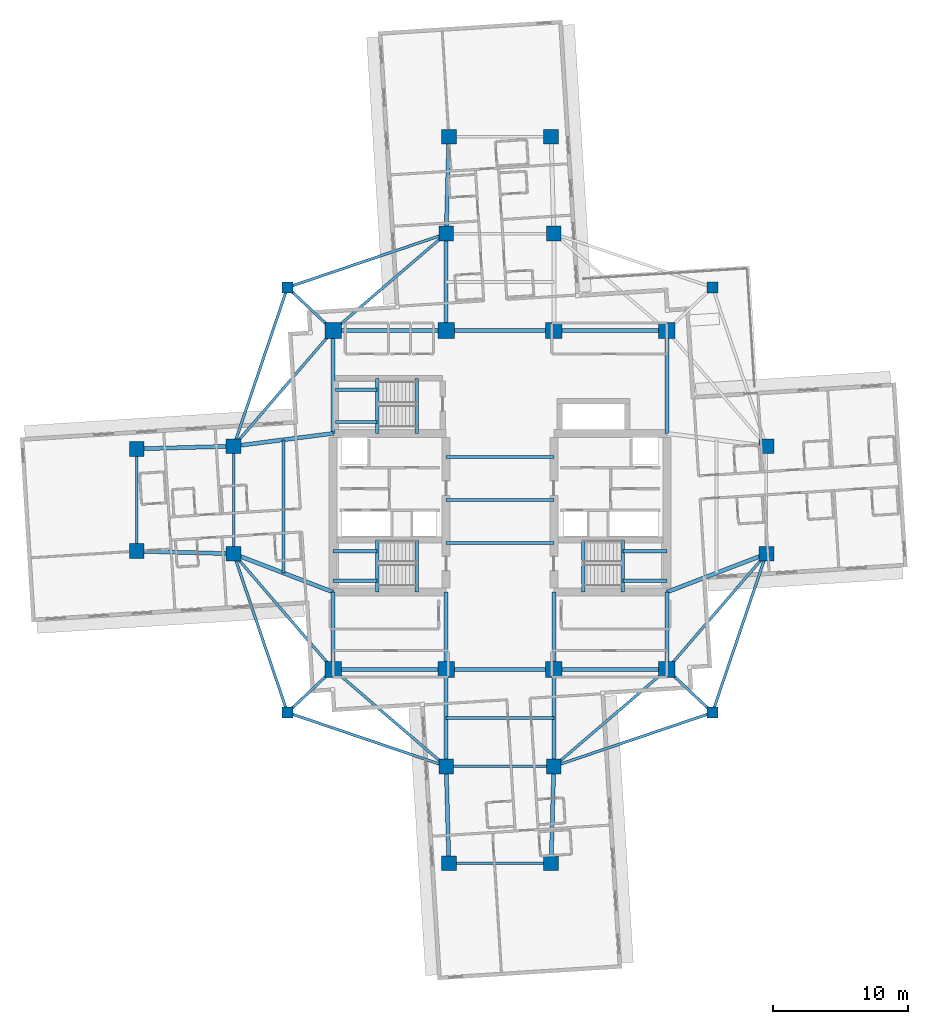
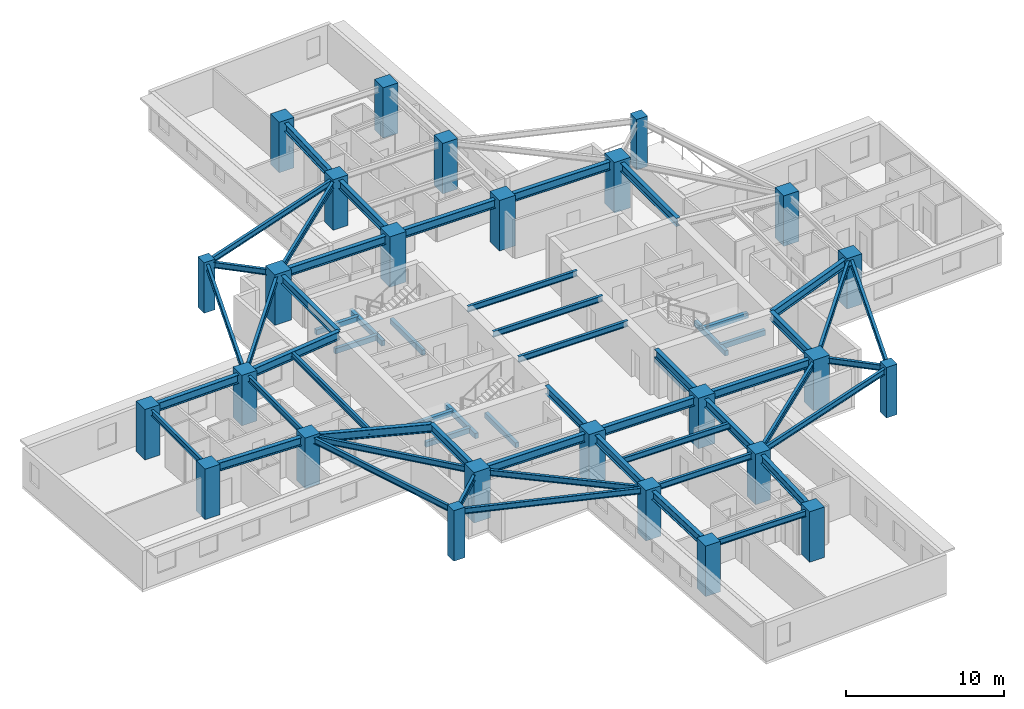
# One storey, part 1 of 14: 59 beams, 26 columns.
"""IFC4 building model written with IfcOpenShell, lengths in metres."""

from ifc_helpers import new_model, si_unit, direction, frame, origin, origin_2d, place, context, subcontext, project, spatial, rectangle, i_section, extrude, material, material_profile, profile_set, type_object, element, save


model = new_model("IFC4")

# Units and contexts
model_context = context("Model", 3, precision=1e-05, world=origin(), true_north=direction((0.0, 1.0)))
body_context = subcontext(model_context, "Body", "Model", "MODEL_VIEW")
ifc_project = project(units=[si_unit("LENGTHUNIT", "METRE"), si_unit("AREAUNIT", "SQUARE_METRE"), si_unit("VOLUMEUNIT", "CUBIC_METRE"), si_unit("PLANEANGLEUNIT", "RADIAN"), si_unit("MASSUNIT", "GRAM", prefix="KILO")], contexts=[model_context])

# Site, building, storey
site_placement = place(None, origin())
site = spatial("IfcSite", under=ifc_project, at=site_placement, CompositionType="ELEMENT")
building_placement = place(site_placement, origin())
building = spatial("IfcBuilding", under=site, at=building_placement, Name="Qingluan Cross Belvedere", CompositionType="ELEMENT")
storey_placement = place(building_placement, frame((0.0, 0.0, 128.10009765625)))
storey = spatial("IfcBuildingStorey", under=building, at=storey_placement, Name="L32", CompositionType="ELEMENT", Elevation=128.10009765625)

# Columns
ifc_material_1 = material(Name="Concrete C60", Category="concrete")
ifc_material_profile_1 = material_profile(ifc_material_1, rectangle(XDim=1.10009765625, YDim=1.10009765625, at=origin_2d()), Name="RC1100x1100")
ifc_profile_set_1 = profile_set([ifc_material_profile_1], Name="Concrete C60")
column_type_1 = type_object("IfcColumnType", Name="Column_RC1100x1100", PredefinedType="COLUMN", material=ifc_profile_set_1)
for number, where, z_axis, x_axis, name in (
    (1, (19.800048828125, -4.0, 0.0), (0.0, 0.0, 1.0), (1.0, 0.0, 0.0), "Arm column L32-EIA"),
    (2, (19.800048828125, 4.0, 0.0), (0.0, 0.0, 1.0), (1.0, 0.0, 0.0), "Arm column L32-EIB"),
    (3, (-19.800048828125, -4.0, 0.0), (0.0, 0.0, 1.0), (1.0, 0.0, 0.0), "Arm column L32-WIA"),
    (4, (-19.800048828125, 4.0, 0.0), (0.0, 0.0, 1.0), (1.0, 0.0, 0.0), "Arm column L32-WIB"),
    (5, (-4.0, -19.800048828125, 0.0), (0.0, 0.0, 1.0), (1.0, 0.0, 0.0), "Arm column L32-SIA"),
    (6, (4.0, -19.800048828125, 0.0), (0.0, 0.0, 1.0), (1.0, 0.0, 0.0), "Arm column L32-SIB"),
    (7, (-4.0, 19.800048828125, 0.0), (0.0, 0.0, 1.0), (1.0, 0.0, 0.0), "Arm column L32-NIA"),
    (8, (4.0, 19.800048828125, 0.0), (0.0, 0.0, 1.0), (1.0, 0.0, 0.0), "Arm column L32-NIB"),
    (9, (-27.0, -3.800048828125, 0.0), (0.0, 0.0, 1.0), (1.0, 0.0, 0.0), "Arm column L32-WOA"),
    (10, (-27.0, 3.800048828125, 0.0), (0.0, 0.0, 1.0), (1.0, 0.0, 0.0), "Arm column L32-WOB"),
    (11, (-3.800048828125, -27.0, 0.0), (0.0, 0.0, 1.0), (1.0, 0.0, 0.0), "Arm column L32-SOA"),
    (12, (3.800048828125, -27.0, 0.0), (0.0, 0.0, 1.0), (1.0, 0.0, 0.0), "Arm column L32-SOB"),
    (13, (-3.800048828125, 27.0, 0.0), (0.0, 0.0, 1.0), (1.0, 0.0, 0.0), "Arm column L32-NOA"),
    (14, (3.800048828125, 27.0, 0.0), (0.0, 0.0, 1.0), (1.0, 0.0, 0.0), "Arm column L32-NOB"),
):
    element("IfcColumn", number, at=place(storey_placement, frame(where, z_axis=z_axis, x_axis=x_axis)), inside=storey, type_object=column_type_1, Name=name, PredefinedType="COLUMN", context=body_context, shape_type="SweptSolid", body=[
        extrude(rectangle(XDim=1.10009765625, YDim=1.10009765625, at=origin_2d()), origin(), (0.0, 0.0, 1.0), 3.89990234375),
    ])
ifc_material_2 = material(Name="Concrete C60", Category="concrete")
ifc_material_profile_2 = material_profile(ifc_material_2, rectangle(XDim=1.199951171875, YDim=1.199951171875, at=origin_2d()), Name="RC1200x1200")
ifc_profile_set_2 = profile_set([ifc_material_profile_2], Name="Concrete C60")
column_type_2 = type_object("IfcColumnType", Name="Column_RC1200x1200", PredefinedType="COLUMN", material=ifc_profile_set_2)
for number, where, z_axis, x_axis, name in (
    (15, (-12.39990234375, -12.60009765625, 0.0), (0.0, 0.0, 1.0), (1.0, 0.0, 0.0), "Hub column L32-HC1"),
    (16, (12.39990234375, -12.60009765625, 0.0), (0.0, 0.0, 1.0), (1.0, 0.0, 0.0), "Hub column L32-HC2"),
    (17, (12.39990234375, 12.60009765625, 0.0), (0.0, 0.0, 1.0), (1.0, 0.0, 0.0), "Hub column L32-HC3"),
    (18, (-12.39990234375, 12.60009765625, 0.0), (0.0, 0.0, 1.0), (1.0, 0.0, 0.0), "Hub column L32-HC4"),
    (19, (-4.0, -12.60009765625, 0.0), (0.0, 0.0, 1.0), (1.0, 0.0, 0.0), "Hub column L32-HC5"),
    (20, (4.0, -12.60009765625, 0.0), (0.0, 0.0, 1.0), (1.0, 0.0, 0.0), "Hub column L32-HC6"),
    (21, (4.0, 12.60009765625, 0.0), (0.0, 0.0, 1.0), (1.0, 0.0, 0.0), "Hub column L32-HC7"),
    (22, (-4.0, 12.60009765625, 0.0), (0.0, 0.0, 1.0), (1.0, 0.0, 0.0), "Hub column L32-HC8"),
):
    element("IfcColumn", number, at=place(storey_placement, frame(where, z_axis=z_axis, x_axis=x_axis)), inside=storey, type_object=column_type_2, Name=name, PredefinedType="COLUMN", context=body_context, shape_type="SweptSolid", body=[
        extrude(rectangle(XDim=1.199951171875, YDim=1.199951171875, at=origin_2d()), origin(), (0.0, 0.0, 1.0), 3.89990234375),
    ])
ifc_material_3 = material(Name="Concrete C50", Category="concrete")
ifc_material_profile_3 = material_profile(ifc_material_3, rectangle(XDim=0.800048828125, YDim=0.800048828125, at=origin_2d()), Name="RC800x800")
ifc_profile_set_3 = profile_set([ifc_material_profile_3], Name="Concrete C50")
column_type_3 = type_object("IfcColumnType", Name="Column_RC800x800", PredefinedType="COLUMN", material=ifc_profile_set_3)
for number, where, z_axis, x_axis, name in (
    (23, (15.800048828125, 15.800048828125, 0.0), (0.0, 0.0, 1.0), (1.0, 0.0, 0.0), "Corner column L32-RNE"),
    (24, (-15.800048828125, 15.800048828125, 0.0), (0.0, 0.0, 1.0), (1.0, 0.0, 0.0), "Corner column L32-RNW"),
    (25, (-15.800048828125, -15.800048828125, 0.0), (0.0, 0.0, 1.0), (1.0, 0.0, 0.0), "Corner column L32-RSW"),
    (26, (15.800048828125, -15.800048828125, 0.0), (0.0, 0.0, 1.0), (1.0, 0.0, 0.0), "Corner column L32-RSE"),
):
    element("IfcColumn", number, at=place(storey_placement, frame(where, z_axis=z_axis, x_axis=x_axis)), inside=storey, type_object=column_type_3, Name=name, PredefinedType="COLUMN", context=body_context, shape_type="SweptSolid", body=[
        extrude(rectangle(XDim=0.800048828125, YDim=0.800048828125, at=origin_2d()), origin(), (0.0, 0.0, 1.0), 3.89990234375),
    ])

# Beams
ifc_material_4 = material(Name="Concrete C45", Category="concrete")
ifc_material_profile_4 = material_profile(ifc_material_4, rectangle(XDim=0.25, YDim=0.39990234375, at=origin_2d()), Name="RC250x400")
ifc_profile_set_4 = profile_set([ifc_material_profile_4], Name="Concrete C45")
beam_type_1 = type_object("IfcBeamType", Name="RC_Lintel_RC250x400", PredefinedType="LINTEL", material=ifc_profile_set_4)
for number, where, z_axis, x_axis, name in (
    (27, (-6.179931640625, -6.85009765625, -0.2001953125), (0.0, 1.0, 0.0), (-1.0, 0.0, 0.0), "Stair ST1 landing beam L32"),
    (28, (6.179931640625, -6.85009765625, -0.2001953125), (0.0, 1.0, 0.0), (-1.0, 0.0, 0.0), "Stair ST2 landing beam L32"),
):
    element("IfcBeam", number, at=place(storey_placement, frame(where, z_axis=z_axis, x_axis=x_axis)), inside=storey, type_object=beam_type_1, Name=name, PredefinedType="LINTEL", context=body_context, shape_type="SweptSolid", body=[
        extrude(rectangle(XDim=0.25, YDim=0.39990234375, at=origin_2d()), origin(), (0.0, 0.0, 1.0), 3.89013671875),
    ])
beam_1_placement = place(storey_placement, frame((-6.179931640625, 4.949951171875, -0.2001953125), z_axis=(0.0, 1.0, 0.0), x_axis=(-1.0, 0.0, 0.0)))
element("IfcBeam", 29, at=beam_1_placement, inside=storey, type_object=beam_type_1, Name="Stair ST3 landing beam L32", PredefinedType="LINTEL", context=body_context, shape_type="SweptSolid", body=[
    extrude(rectangle(XDim=0.25, YDim=0.39990234375, at=origin_2d()), origin(), (0.0, 0.0, 1.0), 4.090087890625),
])
beam_2_placement = place(storey_placement, frame((-9.1298828125, -6.85009765625, 1.5498046875), z_axis=(0.0, 1.0, 0.0), x_axis=(-1.0, 0.0, 0.0)))
element("IfcBeam", 30, at=beam_2_placement, inside=storey, type_object=beam_type_1, Name="Stair ST1 beam A L32", PredefinedType="LINTEL", context=body_context, shape_type="SweptSolid", body=[
    extrude(rectangle(XDim=0.25, YDim=0.39990234375, at=origin_2d()), origin(), (0.0, 0.0, 1.0), 3.89013671875),
])
for number, where, z_axis, x_axis, name in (
    (31, (-12.39990234375, -6.0, 1.5498046875), (1.0, 0.0, 0.0), (0.0, 1.0, 0.0), "Stair ST1 beam B L32"),
    (32, (-12.39990234375, -3.81005859375, 1.5498046875), (1.0, 0.0, 0.0), (0.0, 1.0, 0.0), "Stair ST1 beam C L32"),
):
    element("IfcBeam", number, at=place(storey_placement, frame(where, z_axis=z_axis, x_axis=x_axis)), inside=storey, type_object=beam_type_1, Name=name, PredefinedType="LINTEL", context=body_context, shape_type="SweptSolid", body=[
        extrude(rectangle(XDim=0.25, YDim=0.39990234375, at=origin_2d()), origin(), (0.0, 0.0, 1.0), 3.27001953125),
    ])
beam_3_placement = place(storey_placement, frame((9.1298828125, -6.85009765625, 1.5498046875), z_axis=(0.0, 1.0, 0.0), x_axis=(-1.0, 0.0, 0.0)))
element("IfcBeam", 33, at=beam_3_placement, inside=storey, type_object=beam_type_1, Name="Stair ST2 beam A L32", PredefinedType="LINTEL", context=body_context, shape_type="SweptSolid", body=[
    extrude(rectangle(XDim=0.25, YDim=0.39990234375, at=origin_2d()), origin(), (0.0, 0.0, 1.0), 3.89013671875),
])
for number, where, z_axis, x_axis, name in (
    (34, (12.39990234375, -6.0, 1.5498046875), (-1.0, 0.0, 0.0), (0.0, -1.0, 0.0), "Stair ST2 beam B L32"),
    (35, (12.39990234375, -3.81005859375, 1.5498046875), (-1.0, 0.0, 0.0), (0.0, -1.0, 0.0), "Stair ST2 beam C L32"),
):
    element("IfcBeam", number, at=place(storey_placement, frame(where, z_axis=z_axis, x_axis=x_axis)), inside=storey, type_object=beam_type_1, Name=name, PredefinedType="LINTEL", context=body_context, shape_type="SweptSolid", body=[
        extrude(rectangle(XDim=0.25, YDim=0.39990234375, at=origin_2d()), origin(), (0.0, 0.0, 1.0), 3.27001953125),
    ])
beam_4_placement = place(storey_placement, frame((-9.1298828125, 4.949951171875, 1.5498046875), z_axis=(0.0, 1.0, 0.0), x_axis=(-1.0, 0.0, 0.0)))
element("IfcBeam", 36, at=beam_4_placement, inside=storey, type_object=beam_type_1, Name="Stair ST3 beam A L32", PredefinedType="LINTEL", context=body_context, shape_type="SweptSolid", body=[
    extrude(rectangle(XDim=0.25, YDim=0.39990234375, at=origin_2d()), origin(), (0.0, 0.0, 1.0), 4.090087890625),
])
for number, where, z_axis, x_axis, name in (
    (37, (-12.219970703125, 5.800048828125, 1.5498046875), (1.0, 0.0, 0.0), (0.0, 1.0, 0.0), "Stair ST3 beam B L32"),
    (38, (-12.219970703125, 8.18994140625, 1.5498046875), (1.0, 0.0, 0.0), (0.0, 1.0, 0.0), "Stair ST3 beam C L32"),
):
    element("IfcBeam", number, at=place(storey_placement, frame(where, z_axis=z_axis, x_axis=x_axis)), inside=storey, type_object=beam_type_1, Name=name, PredefinedType="LINTEL", context=body_context, shape_type="SweptSolid", body=[
        extrude(rectangle(XDim=0.25, YDim=0.39990234375, at=origin_2d()), origin(), (0.0, 0.0, 1.0), 3.090087890625),
    ])
ifc_material_5 = material(Name="Steel Q420GJB", Category="steel")
ifc_material_profile_5 = material_profile(ifc_material_5, i_section(OverallWidth=0.199951171875, OverallDepth=0.449951171875, WebThickness=0.009033203125, FlangeThickness=0.013916015625, FilletRadius=0.01611328125, at=origin_2d()), Name="HN450x200x9x14")
ifc_profile_set_5 = profile_set([ifc_material_profile_5], Name="Steel Q420GJB")
beam_type_2 = type_object("IfcBeamType", Name="Steel_Beam_HN450x200x9x14", PredefinedType="JOIST", material=ifc_profile_set_5)
beam_5_placement = place(storey_placement, frame((-12.39990234375, 12.60009765625, 3.474853515625), z_axis=(-0.728219948308, 0.685343495546, 0.0), x_axis=(-0.685343495546, -0.728219948308, 0.0)))
element("IfcBeam", 39, at=beam_5_placement, inside=storey, type_object=beam_type_2, Name="Corner beam 1 L32-RNW", PredefinedType="JOIST", context=body_context, shape_type="SweptSolid", body=[
    extrude(i_section(OverallWidth=0.199951171875, OverallDepth=0.449951171875, WebThickness=0.009033203125, FlangeThickness=0.013916015625, FilletRadius=0.01611328125, at=origin_2d()), origin(), (0.0, 0.0, 1.0), 4.669189453125),
])
for number, where, z_axis, x_axis, name in (
    (40, (-15.800048828125, 15.800048828125, 3.474853515625), (0.947066283324, 0.321038089628, 0.0), (-0.321038089628, 0.947066283324, 0.0), "Corner beam 2 L32-RNW"),
    (41, (-15.800048828125, 15.800048828125, 3.474853515625), (-0.321038089628, -0.947066283324, 0.0), (0.947066283324, -0.321038089628, 0.0), "Corner beam 3 L32-RNW"),
):
    element("IfcBeam", number, at=place(storey_placement, frame(where, z_axis=z_axis, x_axis=x_axis)), inside=storey, type_object=beam_type_2, Name=name, PredefinedType="JOIST", context=body_context, shape_type="SweptSolid", body=[
        extrude(i_section(OverallWidth=0.199951171875, OverallDepth=0.449951171875, WebThickness=0.009033203125, FlangeThickness=0.013916015625, FilletRadius=0.01611328125, at=origin_2d()), origin(), (0.0, 0.0, 1.0), 12.45947265625),
    ])
beam_6_placement = place(storey_placement, frame((-12.39990234375, 12.60009765625, 3.474853515625), z_axis=(-0.652245077546, -0.75800815221, 0.0), x_axis=(0.75800815221, -0.652245077546, 0.0)))
element("IfcBeam", 42, at=beam_6_placement, inside=storey, type_object=beam_type_2, Name="Corner beam 4 L32-RNW", PredefinedType="JOIST", context=body_context, shape_type="SweptSolid", body=[
    extrude(i_section(OverallWidth=0.199951171875, OverallDepth=0.449951171875, WebThickness=0.009033203125, FlangeThickness=0.013916015625, FilletRadius=0.01611328125, at=origin_2d()), origin(), (0.0, 0.0, 1.0), 11.345703125),
])
beam_7_placement = place(storey_placement, frame((-12.39990234375, 12.60009765625, 3.474853515625), z_axis=(0.759255044656, 0.650793190779, 0.0), x_axis=(-0.650793190779, 0.759255044656, 0.0)))
element("IfcBeam", 43, at=beam_7_placement, inside=storey, type_object=beam_type_2, Name="Corner beam 5 L32-RNW", PredefinedType="JOIST", context=body_context, shape_type="SweptSolid", body=[
    extrude(i_section(OverallWidth=0.199951171875, OverallDepth=0.449951171875, WebThickness=0.009033203125, FlangeThickness=0.013916015625, FilletRadius=0.01611328125, at=origin_2d()), origin(), (0.0, 0.0, 1.0), 11.063232421875),
])
beam_8_placement = place(storey_placement, frame((-12.39990234375, -12.60009765625, 3.474853515625), z_axis=(-0.728219948308, -0.685343495546, 0.0), x_axis=(0.685343495546, -0.728219948308, 0.0)))
element("IfcBeam", 44, at=beam_8_placement, inside=storey, type_object=beam_type_2, Name="Corner beam 1 L32-RSW", PredefinedType="JOIST", context=body_context, shape_type="SweptSolid", body=[
    extrude(i_section(OverallWidth=0.199951171875, OverallDepth=0.449951171875, WebThickness=0.009033203125, FlangeThickness=0.013916015625, FilletRadius=0.01611328125, at=origin_2d()), origin(), (0.0, 0.0, 1.0), 4.669189453125),
])
for number, where, z_axis, x_axis, name in (
    (45, (-15.800048828125, -15.800048828125, 3.474853515625), (0.947066283324, -0.321038089628, 0.0), (0.321038089628, 0.947066283324, 0.0), "Corner beam 2 L32-RSW"),
    (46, (-15.800048828125, -15.800048828125, 3.474853515625), (-0.321038089628, 0.947066283324, 0.0), (-0.947066283324, -0.321038089628, 0.0), "Corner beam 3 L32-RSW"),
):
    element("IfcBeam", number, at=place(storey_placement, frame(where, z_axis=z_axis, x_axis=x_axis)), inside=storey, type_object=beam_type_2, Name=name, PredefinedType="JOIST", context=body_context, shape_type="SweptSolid", body=[
        extrude(i_section(OverallWidth=0.199951171875, OverallDepth=0.449951171875, WebThickness=0.009033203125, FlangeThickness=0.013916015625, FilletRadius=0.01611328125, at=origin_2d()), origin(), (0.0, 0.0, 1.0), 12.45947265625),
    ])
beam_9_placement = place(storey_placement, frame((-12.39990234375, -12.60009765625, 3.474853515625), z_axis=(-0.652245077546, 0.75800815221, 0.0), x_axis=(-0.75800815221, -0.652245077546, 0.0)))
element("IfcBeam", 47, at=beam_9_placement, inside=storey, type_object=beam_type_2, Name="Corner beam 4 L32-RSW", PredefinedType="JOIST", context=body_context, shape_type="SweptSolid", body=[
    extrude(i_section(OverallWidth=0.199951171875, OverallDepth=0.449951171875, WebThickness=0.009033203125, FlangeThickness=0.013916015625, FilletRadius=0.01611328125, at=origin_2d()), origin(), (0.0, 0.0, 1.0), 11.345703125),
])
beam_10_placement = place(storey_placement, frame((-12.39990234375, -12.60009765625, 3.474853515625), z_axis=(0.759255044656, -0.650793190779, 0.0), x_axis=(0.650793190779, 0.759255044656, 0.0)))
element("IfcBeam", 48, at=beam_10_placement, inside=storey, type_object=beam_type_2, Name="Corner beam 5 L32-RSW", PredefinedType="JOIST", context=body_context, shape_type="SweptSolid", body=[
    extrude(i_section(OverallWidth=0.199951171875, OverallDepth=0.449951171875, WebThickness=0.009033203125, FlangeThickness=0.013916015625, FilletRadius=0.01611328125, at=origin_2d()), origin(), (0.0, 0.0, 1.0), 11.063232421875),
])
beam_11_placement = place(storey_placement, frame((12.39990234375, -12.60009765625, 3.474853515625), z_axis=(0.728219948308, -0.685343495546, 0.0), x_axis=(0.685343495546, 0.728219948308, 0.0)))
element("IfcBeam", 49, at=beam_11_placement, inside=storey, type_object=beam_type_2, Name="Corner beam 1 L32-RSE", PredefinedType="JOIST", context=body_context, shape_type="SweptSolid", body=[
    extrude(i_section(OverallWidth=0.199951171875, OverallDepth=0.449951171875, WebThickness=0.009033203125, FlangeThickness=0.013916015625, FilletRadius=0.01611328125, at=origin_2d()), origin(), (0.0, 0.0, 1.0), 4.669189453125),
])
for number, where, z_axis, x_axis, name in (
    (50, (15.800048828125, -15.800048828125, 3.474853515625), (-0.947066283324, -0.321038089628, 0.0), (0.321038089628, -0.947066283324, 0.0), "Corner beam 2 L32-RSE"),
    (51, (15.800048828125, -15.800048828125, 3.474853515625), (0.321038089628, 0.947066283324, 0.0), (-0.947066283324, 0.321038089628, 0.0), "Corner beam 3 L32-RSE"),
):
    element("IfcBeam", number, at=place(storey_placement, frame(where, z_axis=z_axis, x_axis=x_axis)), inside=storey, type_object=beam_type_2, Name=name, PredefinedType="JOIST", context=body_context, shape_type="SweptSolid", body=[
        extrude(i_section(OverallWidth=0.199951171875, OverallDepth=0.449951171875, WebThickness=0.009033203125, FlangeThickness=0.013916015625, FilletRadius=0.01611328125, at=origin_2d()), origin(), (0.0, 0.0, 1.0), 12.45947265625),
    ])
beam_12_placement = place(storey_placement, frame((12.39990234375, -12.60009765625, 3.474853515625), z_axis=(0.652245077546, 0.75800815221, 0.0), x_axis=(-0.75800815221, 0.652245077546, 0.0)))
element("IfcBeam", 52, at=beam_12_placement, inside=storey, type_object=beam_type_2, Name="Corner beam 4 L32-RSE", PredefinedType="JOIST", context=body_context, shape_type="SweptSolid", body=[
    extrude(i_section(OverallWidth=0.199951171875, OverallDepth=0.449951171875, WebThickness=0.009033203125, FlangeThickness=0.013916015625, FilletRadius=0.01611328125, at=origin_2d()), origin(), (0.0, 0.0, 1.0), 11.345703125),
])
beam_13_placement = place(storey_placement, frame((12.39990234375, -12.60009765625, 3.474853515625), z_axis=(-0.759255044656, -0.650793190779, 0.0), x_axis=(0.650793190779, -0.759255044656, 0.0)))
element("IfcBeam", 53, at=beam_13_placement, inside=storey, type_object=beam_type_2, Name="Corner beam 5 L32-RSE", PredefinedType="JOIST", context=body_context, shape_type="SweptSolid", body=[
    extrude(i_section(OverallWidth=0.199951171875, OverallDepth=0.449951171875, WebThickness=0.009033203125, FlangeThickness=0.013916015625, FilletRadius=0.01611328125, at=origin_2d()), origin(), (0.0, 0.0, 1.0), 11.063232421875),
])
for number, where, z_axis, x_axis, name in (
    (54, (-4.0, -3.199951171875, 3.474853515625), (1.0, 0.0, 0.0), (0.0, 1.0, 0.0), "Hall beam L32-CH1"),
    (55, (-4.0, 0.0, 3.474853515625), (1.0, 0.0, 0.0), (0.0, 1.0, 0.0), "Hall beam L32-CH2"),
    (56, (-4.0, 3.199951171875, 3.474853515625), (1.0, 0.0, 0.0), (0.0, 1.0, 0.0), "Hall beam L32-CH3"),
    (57, (-19.800048828125, -4.0, 3.474853515625), (0.0, 1.0, 0.0), (-1.0, 0.0, 0.0), "Arm W tie L32"),
):
    element("IfcBeam", number, at=place(storey_placement, frame(where, z_axis=z_axis, x_axis=x_axis)), inside=storey, type_object=beam_type_2, Name=name, PredefinedType="JOIST", context=body_context, shape_type="SweptSolid", body=[
        extrude(i_section(OverallWidth=0.199951171875, OverallDepth=0.449951171875, WebThickness=0.009033203125, FlangeThickness=0.013916015625, FilletRadius=0.01611328125, at=origin_2d()), origin(), (0.0, 0.0, 1.0), 8.0),
    ])
beam_14_placement = place(storey_placement, frame((-16.10009765625, -5.425048828125, 3.474853515625), z_axis=(0.0, 1.0, 0.0), x_axis=(-1.0, 0.0, 0.0)))
element("IfcBeam", 58, at=beam_14_placement, inside=storey, type_object=beam_type_2, Name="Arm W beam L32", PredefinedType="JOIST", context=body_context, shape_type="SweptSolid", body=[
    extrude(i_section(OverallWidth=0.199951171875, OverallDepth=0.449951171875, WebThickness=0.009033203125, FlangeThickness=0.013916015625, FilletRadius=0.01611328125, at=origin_2d()), origin(), (0.0, 0.0, 1.0), 9.900146484375),
])
beam_15_placement = place(storey_placement, frame((-27.0, -3.800048828125, 3.474853515625), z_axis=(0.0, 1.0, 0.0), x_axis=(-1.0, 0.0, 0.0)))
element("IfcBeam", 59, at=beam_15_placement, inside=storey, type_object=beam_type_2, Name="Arm W tip transverse beam L32", PredefinedType="JOIST", context=body_context, shape_type="SweptSolid", body=[
    extrude(i_section(OverallWidth=0.199951171875, OverallDepth=0.449951171875, WebThickness=0.009033203125, FlangeThickness=0.013916015625, FilletRadius=0.01611328125, at=origin_2d()), origin(), (0.0, 0.0, 1.0), 7.60009765625),
])
for number, where, z_axis, x_axis, name in (
    (60, (-4.0, -19.800048828125, 3.474853515625), (1.0, 0.0, 0.0), (0.0, 1.0, 0.0), "Arm S tie L32"),
    (61, (-4.0, -16.199951171875, 3.474853515625), (1.0, 0.0, 0.0), (0.0, 1.0, 0.0), "Arm S beam L32"),
):
    element("IfcBeam", number, at=place(storey_placement, frame(where, z_axis=z_axis, x_axis=x_axis)), inside=storey, type_object=beam_type_2, Name=name, PredefinedType="JOIST", context=body_context, shape_type="SweptSolid", body=[
        extrude(i_section(OverallWidth=0.199951171875, OverallDepth=0.449951171875, WebThickness=0.009033203125, FlangeThickness=0.013916015625, FilletRadius=0.01611328125, at=origin_2d()), origin(), (0.0, 0.0, 1.0), 8.0),
    ])
beam_16_placement = place(storey_placement, frame((-3.800048828125, -27.0, 3.474853515625), z_axis=(1.0, 0.0, 0.0), x_axis=(0.0, 1.0, 0.0)))
element("IfcBeam", 62, at=beam_16_placement, inside=storey, type_object=beam_type_2, Name="Arm S tip transverse beam L32", PredefinedType="JOIST", context=body_context, shape_type="SweptSolid", body=[
    extrude(i_section(OverallWidth=0.199951171875, OverallDepth=0.449951171875, WebThickness=0.009033203125, FlangeThickness=0.013916015625, FilletRadius=0.01611328125, at=origin_2d()), origin(), (0.0, 0.0, 1.0), 7.60009765625),
])
ifc_material_6 = material(Name="Steel Q420GJB", Category="steel")
ifc_material_profile_6 = material_profile(ifc_material_6, i_section(OverallWidth=0.300048828125, OverallDepth=0.64990234375, WebThickness=0.014404296875, FlangeThickness=0.02587890625, FilletRadius=0.027099609375, at=origin_2d()), Name="HEB650")
ifc_profile_set_6 = profile_set([ifc_material_profile_6], Name="Steel Q420GJB")
beam_type_3 = type_object("IfcBeamType", Name="Steel_Girder_HEB650", PredefinedType="USERDEFINED", material=ifc_profile_set_6)
beam_17_placement = place(storey_placement, frame((-12.39990234375, -12.60009765625, 3.375), z_axis=(1.0, 0.0, 0.0), x_axis=(0.0, 1.0, 0.0)))
element("IfcBeam", 63, at=beam_17_placement, inside=storey, type_object=beam_type_3, Name="Hub girder L32-HG-S1", ObjectType="GIRDER", PredefinedType="USERDEFINED", context=body_context, shape_type="SweptSolid", body=[
    extrude(i_section(OverallWidth=0.300048828125, OverallDepth=0.64990234375, WebThickness=0.014404296875, FlangeThickness=0.02587890625, FilletRadius=0.027099609375, at=origin_2d()), origin(), (0.0, 0.0, 1.0), 8.39990234375),
])
beam_18_placement = place(storey_placement, frame((-4.0, -12.60009765625, 3.375), z_axis=(1.0, 0.0, 0.0), x_axis=(0.0, 1.0, 0.0)))
element("IfcBeam", 64, at=beam_18_placement, inside=storey, type_object=beam_type_3, Name="Hub girder L32-HG-S2", ObjectType="GIRDER", PredefinedType="USERDEFINED", context=body_context, shape_type="SweptSolid", body=[
    extrude(i_section(OverallWidth=0.300048828125, OverallDepth=0.64990234375, WebThickness=0.014404296875, FlangeThickness=0.02587890625, FilletRadius=0.027099609375, at=origin_2d()), origin(), (0.0, 0.0, 1.0), 8.0),
])
for number, where, z_axis, x_axis, name in (
    (65, (4.0, -12.60009765625, 3.375), (1.0, 0.0, 0.0), (0.0, 1.0, 0.0), "Hub girder L32-HG-S3"),
    (66, (-12.39990234375, 12.60009765625, 3.375), (1.0, 0.0, 0.0), (0.0, 1.0, 0.0), "Hub girder L32-HG-N1"),
):
    element("IfcBeam", number, at=place(storey_placement, frame(where, z_axis=z_axis, x_axis=x_axis)), inside=storey, type_object=beam_type_3, Name=name, ObjectType="GIRDER", PredefinedType="USERDEFINED", context=body_context, shape_type="SweptSolid", body=[
        extrude(i_section(OverallWidth=0.300048828125, OverallDepth=0.64990234375, WebThickness=0.014404296875, FlangeThickness=0.02587890625, FilletRadius=0.027099609375, at=origin_2d()), origin(), (0.0, 0.0, 1.0), 8.39990234375),
    ])
beam_19_placement = place(storey_placement, frame((-4.0, 12.60009765625, 3.375), z_axis=(1.0, 0.0, 0.0), x_axis=(0.0, 1.0, 0.0)))
element("IfcBeam", 67, at=beam_19_placement, inside=storey, type_object=beam_type_3, Name="Hub girder L32-HG-N2", ObjectType="GIRDER", PredefinedType="USERDEFINED", context=body_context, shape_type="SweptSolid", body=[
    extrude(i_section(OverallWidth=0.300048828125, OverallDepth=0.64990234375, WebThickness=0.014404296875, FlangeThickness=0.02587890625, FilletRadius=0.027099609375, at=origin_2d()), origin(), (0.0, 0.0, 1.0), 8.0),
])
beam_20_placement = place(storey_placement, frame((4.0, 12.60009765625, 3.375), z_axis=(1.0, 0.0, 0.0), x_axis=(0.0, 1.0, 0.0)))
element("IfcBeam", 68, at=beam_20_placement, inside=storey, type_object=beam_type_3, Name="Hub girder L32-HG-N3", ObjectType="GIRDER", PredefinedType="USERDEFINED", context=body_context, shape_type="SweptSolid", body=[
    extrude(i_section(OverallWidth=0.300048828125, OverallDepth=0.64990234375, WebThickness=0.014404296875, FlangeThickness=0.02587890625, FilletRadius=0.027099609375, at=origin_2d()), origin(), (0.0, 0.0, 1.0), 8.39990234375),
])
beam_21_placement = place(storey_placement, frame((-12.39990234375, -12.60009765625, 3.375), z_axis=(0.0, 1.0, 0.0), x_axis=(-1.0, 0.0, 0.0)))
element("IfcBeam", 69, at=beam_21_placement, inside=storey, type_object=beam_type_3, Name="Hub girder L32-HG-W1", ObjectType="GIRDER", PredefinedType="USERDEFINED", context=body_context, shape_type="SweptSolid", body=[
    extrude(i_section(OverallWidth=0.300048828125, OverallDepth=0.64990234375, WebThickness=0.014404296875, FlangeThickness=0.02587890625, FilletRadius=0.027099609375, at=origin_2d()), origin(), (0.0, 0.0, 1.0), 5.75),
])
beam_22_placement = place(storey_placement, frame((-12.39990234375, 4.949951171875, 3.375), z_axis=(0.0, 1.0, 0.0), x_axis=(-1.0, 0.0, 0.0)))
element("IfcBeam", 70, at=beam_22_placement, inside=storey, type_object=beam_type_3, Name="Hub girder L32-HG-W2", ObjectType="GIRDER", PredefinedType="USERDEFINED", context=body_context, shape_type="SweptSolid", body=[
    extrude(i_section(OverallWidth=0.300048828125, OverallDepth=0.64990234375, WebThickness=0.014404296875, FlangeThickness=0.02587890625, FilletRadius=0.027099609375, at=origin_2d()), origin(), (0.0, 0.0, 1.0), 7.650146484375),
])
beam_23_placement = place(storey_placement, frame((12.39990234375, -12.60009765625, 3.375), z_axis=(0.0, 1.0, 0.0), x_axis=(-1.0, 0.0, 0.0)))
element("IfcBeam", 71, at=beam_23_placement, inside=storey, type_object=beam_type_3, Name="Hub girder L32-HG-E1", ObjectType="GIRDER", PredefinedType="USERDEFINED", context=body_context, shape_type="SweptSolid", body=[
    extrude(i_section(OverallWidth=0.300048828125, OverallDepth=0.64990234375, WebThickness=0.014404296875, FlangeThickness=0.02587890625, FilletRadius=0.027099609375, at=origin_2d()), origin(), (0.0, 0.0, 1.0), 5.75),
])
beam_24_placement = place(storey_placement, frame((12.39990234375, 4.949951171875, 3.375), z_axis=(0.0, 1.0, 0.0), x_axis=(-1.0, 0.0, 0.0)))
element("IfcBeam", 72, at=beam_24_placement, inside=storey, type_object=beam_type_3, Name="Hub girder L32-HG-E2", ObjectType="GIRDER", PredefinedType="USERDEFINED", context=body_context, shape_type="SweptSolid", body=[
    extrude(i_section(OverallWidth=0.300048828125, OverallDepth=0.64990234375, WebThickness=0.014404296875, FlangeThickness=0.02587890625, FilletRadius=0.027099609375, at=origin_2d()), origin(), (0.0, 0.0, 1.0), 7.650146484375),
])
for number, where, z_axis, x_axis, name in (
    (73, (-4.0, -12.60009765625, 3.375), (0.0, 1.0, 0.0), (-1.0, 0.0, 0.0), "Hub girder L32-HG-CW"),
    (74, (4.0, -12.60009765625, 3.375), (0.0, 1.0, 0.0), (-1.0, 0.0, 0.0), "Hub girder L32-HG-CE"),
):
    element("IfcBeam", number, at=place(storey_placement, frame(where, z_axis=z_axis, x_axis=x_axis)), inside=storey, type_object=beam_type_3, Name=name, ObjectType="GIRDER", PredefinedType="USERDEFINED", context=body_context, shape_type="SweptSolid", body=[
        extrude(i_section(OverallWidth=0.300048828125, OverallDepth=0.64990234375, WebThickness=0.014404296875, FlangeThickness=0.02587890625, FilletRadius=0.027099609375, at=origin_2d()), origin(), (0.0, 0.0, 1.0), 5.75),
    ])
for number, where, z_axis, x_axis, name in (
    (75, (12.39990234375, -6.85009765625, 3.375), (0.933181258889, 0.359406090735, 0.0), (-0.359406090735, 0.933181258889, 0.0), "Arm E radial girder A L32"),
    (76, (-12.39990234375, -6.85009765625, 3.375), (-0.933181258889, 0.359406090735, 0.0), (-0.359406090735, -0.933181258889, 0.0), "Arm W radial girder A L32"),
):
    element("IfcBeam", number, at=place(storey_placement, frame(where, z_axis=z_axis, x_axis=x_axis)), inside=storey, type_object=beam_type_3, Name=name, ObjectType="GIRDER", PredefinedType="USERDEFINED", context=body_context, shape_type="SweptSolid", body=[
        extrude(i_section(OverallWidth=0.300048828125, OverallDepth=0.64990234375, WebThickness=0.014404296875, FlangeThickness=0.02587890625, FilletRadius=0.027099609375, at=origin_2d()), origin(), (0.0, 0.0, 1.0), 7.929931640625),
    ])
beam_25_placement = place(storey_placement, frame((-12.39990234375, 4.949951171875, 3.375), z_axis=(-0.991861120628, -0.12732445714, 0.0), x_axis=(0.12732445714, -0.991861120628, 0.0)))
element("IfcBeam", 77, at=beam_25_placement, inside=storey, type_object=beam_type_3, Name="Arm W radial girder B L32", ObjectType="GIRDER", PredefinedType="USERDEFINED", context=body_context, shape_type="SweptSolid", body=[
    extrude(i_section(OverallWidth=0.300048828125, OverallDepth=0.64990234375, WebThickness=0.014404296875, FlangeThickness=0.02587890625, FilletRadius=0.027099609375, at=origin_2d()), origin(), (0.0, 0.0, 1.0), 7.4609375),
])
for number, where, z_axis, x_axis, name in (
    (78, (-19.800048828125, -4.0, 3.375), (-0.999614603568, 0.027760481514, 0.0), (-0.027760481514, -0.999614603568, 0.0), "Arm W outer radial girder A L32"),
    (79, (-19.800048828125, 4.0, 3.375), (-0.999614603568, -0.027760481514, 0.0), (0.027760481514, -0.999614603568, 0.0), "Arm W outer radial girder B L32"),
):
    element("IfcBeam", number, at=place(storey_placement, frame(where, z_axis=z_axis, x_axis=x_axis)), inside=storey, type_object=beam_type_3, Name=name, ObjectType="GIRDER", PredefinedType="USERDEFINED", context=body_context, shape_type="SweptSolid", body=[
        extrude(i_section(OverallWidth=0.300048828125, OverallDepth=0.64990234375, WebThickness=0.014404296875, FlangeThickness=0.02587890625, FilletRadius=0.027099609375, at=origin_2d()), origin(), (0.0, 0.0, 1.0), 7.20263671875),
    ])
beam_26_placement = place(storey_placement, frame((-4.0, 12.60009765625, 3.375), z_axis=(0.0, 1.0, 0.0), x_axis=(-1.0, 0.0, 0.0)))
element("IfcBeam", 80, at=beam_26_placement, inside=storey, type_object=beam_type_3, Name="Arm N radial girder A L32", ObjectType="GIRDER", PredefinedType="USERDEFINED", context=body_context, shape_type="SweptSolid", body=[
    extrude(i_section(OverallWidth=0.300048828125, OverallDepth=0.64990234375, WebThickness=0.014404296875, FlangeThickness=0.02587890625, FilletRadius=0.027099609375, at=origin_2d()), origin(), (0.0, 0.0, 1.0), 7.199951171875),
])
beam_27_placement = place(storey_placement, frame((-4.0, 19.800048828125, 3.375), z_axis=(0.027760481514, 0.999614603568, 0.0), x_axis=(-0.999614603568, 0.027760481514, 0.0)))
element("IfcBeam", 81, at=beam_27_placement, inside=storey, type_object=beam_type_3, Name="Arm N outer radial girder A L32", ObjectType="GIRDER", PredefinedType="USERDEFINED", context=body_context, shape_type="SweptSolid", body=[
    extrude(i_section(OverallWidth=0.300048828125, OverallDepth=0.64990234375, WebThickness=0.014404296875, FlangeThickness=0.02587890625, FilletRadius=0.027099609375, at=origin_2d()), origin(), (0.0, 0.0, 1.0), 7.20263671875),
])
for number, where, z_axis, x_axis, name in (
    (82, (-4.0, -12.60009765625, 3.375), (0.0, -1.0, 0.0), (1.0, 0.0, 0.0), "Arm S radial girder A L32"),
    (83, (4.0, -12.60009765625, 3.375), (0.0, -1.0, 0.0), (1.0, 0.0, 0.0), "Arm S radial girder B L32"),
):
    element("IfcBeam", number, at=place(storey_placement, frame(where, z_axis=z_axis, x_axis=x_axis)), inside=storey, type_object=beam_type_3, Name=name, ObjectType="GIRDER", PredefinedType="USERDEFINED", context=body_context, shape_type="SweptSolid", body=[
        extrude(i_section(OverallWidth=0.300048828125, OverallDepth=0.64990234375, WebThickness=0.014404296875, FlangeThickness=0.02587890625, FilletRadius=0.027099609375, at=origin_2d()), origin(), (0.0, 0.0, 1.0), 7.199951171875),
    ])
for number, where, z_axis, x_axis, name in (
    (84, (-4.0, -19.800048828125, 3.375), (0.027760481514, -0.999614603568, 0.0), (0.999614603568, 0.027760481514, 0.0), "Arm S outer radial girder A L32"),
    (85, (4.0, -19.800048828125, 3.375), (-0.027760481514, -0.999614603568, 0.0), (0.999614603568, -0.027760481514, 0.0), "Arm S outer radial girder B L32"),
):
    element("IfcBeam", number, at=place(storey_placement, frame(where, z_axis=z_axis, x_axis=x_axis)), inside=storey, type_object=beam_type_3, Name=name, ObjectType="GIRDER", PredefinedType="USERDEFINED", context=body_context, shape_type="SweptSolid", body=[
        extrude(i_section(OverallWidth=0.300048828125, OverallDepth=0.64990234375, WebThickness=0.014404296875, FlangeThickness=0.02587890625, FilletRadius=0.027099609375, at=origin_2d()), origin(), (0.0, 0.0, 1.0), 7.20263671875),
    ])

save(model, "model.ifc")
